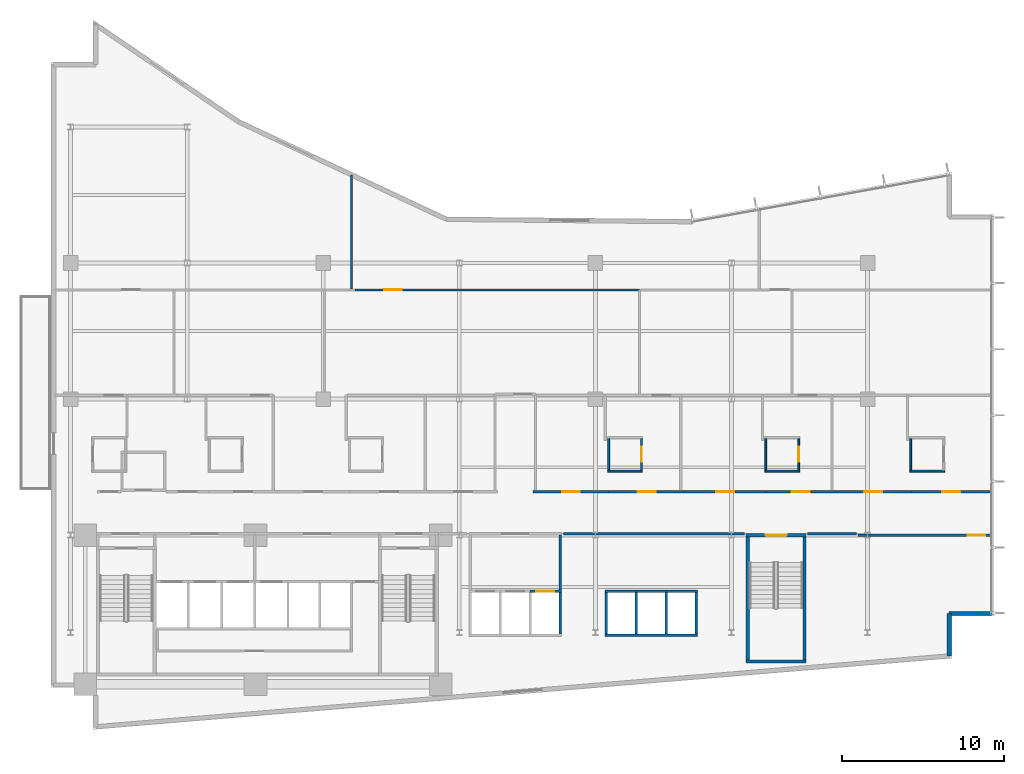
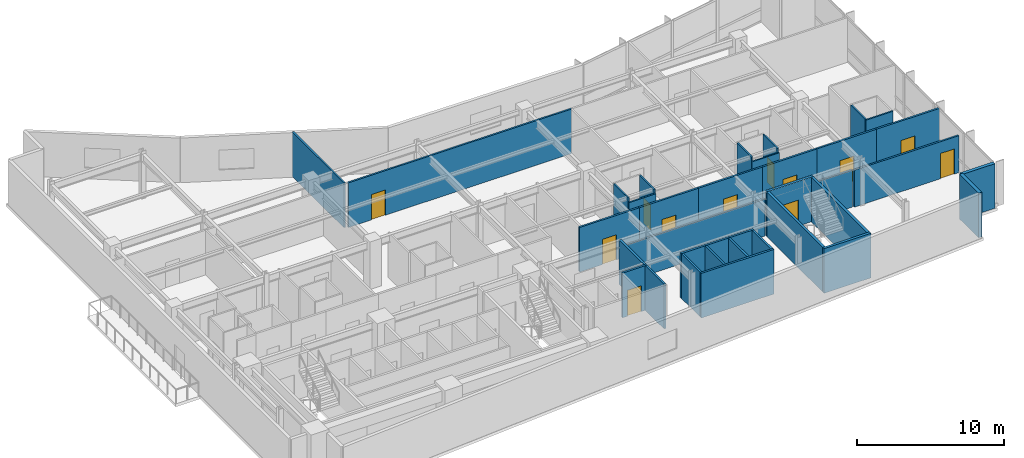
# One storey, part 14 of 20: 36 walls, 12 doors, 12 openings.
"""IFC4 building model written with IfcOpenShell, lengths in metres."""

import ifcopenshell
import ifcopenshell.guid

model = None  # the IFC model being written
_history = None  # IfcOwnerHistory: only IFC2X3 demands one
_inside = {}  # id of a spatial element -> (the spatial element, [elements in it])
_under = {}  # id of a project, library or spatial element -> (it, [spatial elements below it])
_declared = {}  # id of a project -> (the project, [libraries it declares])
_typed = {}  # id of a type object -> (the type object, [elements of that type])
_made_of = {}  # id of a material, layer set ... -> (it, [elements and type objects made of it])


def new_model(schema):
    """Start an empty IFC model of exactly this schema.

    Asked for "IFC4X3", IfcOpenShell would pick the latest addendum, in which some entities
    have other attributes; the version numbers below select the first issue.
    IFC2X3 requires an IfcOwnerHistory on every rooted entity: one is made here for all.
    """
    global model, _history
    if schema == "IFC4X3":
        model = ifcopenshell.file(schema_version=(4, 3, 0, 0))
    else:
        model = ifcopenshell.file(schema=schema)
    _inside.clear()
    _under.clear()
    _declared.clear()
    _typed.clear()
    _made_of.clear()
    _history = None
    if model.schema == "IFC2X3":
        org = make("IfcOrganization", Name="unknown")
        user = make(
            "IfcPersonAndOrganization",
            ThePerson=make("IfcPerson", FamilyName="unknown"),
            TheOrganization=org,
        )
        app = make(
            "IfcApplication",
            ApplicationDeveloper=org,
            Version="unknown",
            ApplicationFullName="unknown",
            ApplicationIdentifier="unknown",
        )
        _history = make(
            "IfcOwnerHistory",
            OwningUser=user,
            OwningApplication=app,
            ChangeAction="ADDED",
            CreationDate=0,
        )
    return model


def make(cls, **values):
    """One entity of the class cls with the attributes given. An attribute that is None is left unset."""
    return model.create_entity(
        cls, **{name: value for name, value in values.items() if value is not None}
    )


def rooted(cls, **values):
    """An entity with a GlobalId (a new one), such as an element, a storey or a relation."""
    return make(cls, GlobalId=ifcopenshell.guid.new(), OwnerHistory=_history, **values)


def si_unit(unit_type, name, prefix=None):
    """IfcSIUnit, for example si_unit("LENGTHUNIT", "METRE", prefix="MILLI")."""
    return make("IfcSIUnit", UnitType=unit_type, Prefix=prefix, Name=name)


def assignment(units):
    """IfcUnitAssignment: the units of a project."""
    return None if units is None else make("IfcUnitAssignment", Units=units)


def point(xyz):
    """IfcCartesianPoint."""
    return None if xyz is None else make("IfcCartesianPoint", Coordinates=xyz)


def direction(xyz):
    """IfcDirection."""
    return None if xyz is None else make("IfcDirection", DirectionRatios=xyz)


def frame(location, z_axis=None, x_axis=None):
    """IfcAxis2Placement3D, a coordinate frame: its origin and axes. An axis left out is left unset."""
    return make(
        "IfcAxis2Placement3D",
        Location=point(location),
        Axis=direction(z_axis),
        RefDirection=direction(x_axis),
    )


def frame_2d(location, x_axis=None):
    """IfcAxis2Placement2D, a coordinate frame in the plane: its origin and x axis."""
    return make(
        "IfcAxis2Placement2D", Location=point(location), RefDirection=direction(x_axis)
    )


def origin():
    """The frame at (0, 0, 0) with its axes left unset."""
    return frame((0.0, 0.0, 0.0))


def place(relative_to, where):
    """IfcLocalPlacement: puts the frame where relative to a parent placement (None: the world)."""
    return make(
        "IfcLocalPlacement", PlacementRelTo=relative_to, RelativePlacement=where
    )


def context(
    kind, dimensions, precision=None, world=None, true_north=None, identifier=None
):
    """IfcGeometricRepresentationContext, for example the 3D "Model" context."""
    return make(
        "IfcGeometricRepresentationContext",
        ContextIdentifier=identifier,
        ContextType=kind,
        CoordinateSpaceDimension=dimensions,
        Precision=precision,
        WorldCoordinateSystem=world,
        TrueNorth=true_north,
    )


def subcontext(parent, identifier, kind, view, scale=None):
    """IfcGeometricRepresentationSubContext, for example "Body" below "Model"."""
    return make(
        "IfcGeometricRepresentationSubContext",
        ContextIdentifier=identifier,
        ContextType=kind,
        ParentContext=parent,
        TargetScale=scale,
        TargetView=view,
    )


def project(units=None, contexts=None):
    """IfcProject with its units and contexts."""
    return rooted(
        "IfcProject",
        Name="project",
        RepresentationContexts=contexts,
        UnitsInContext=assignment(units),
    )


def spatial(cls, under=None, at=None, **own):
    """A site, building, storey or space (cls), placed at a placement, below another one or the project."""
    s = rooted(cls, ObjectPlacement=at, **own)
    if under is not None:
        _under.setdefault(under.id(), (under, []))[1].append(s)
    return s


def profile(cls, at=None, kind="AREA", **sizes):
    """A parametric profile (cls). Its sizes go by their IFC names, for example OverallWidth=200.0."""
    return make(cls, ProfileType=kind, Position=at, **sizes)


def rectangle(**sizes):
    """IfcRectangleProfileDef."""
    return profile("IfcRectangleProfileDef", **sizes)


def extrude(swept, where, along, depth):
    """IfcExtrudedAreaSolid: the profile swept, set in the frame where, extruded along a direction by depth."""
    return make(
        "IfcExtrudedAreaSolid",
        SweptArea=swept,
        Position=where,
        ExtrudedDirection=direction(along),
        Depth=depth,
    )


def shape(context_of_items, identifier, shape_type, items):
    """IfcShapeRepresentation: the items that make up one representation, for example the "Body"."""
    return make(
        "IfcShapeRepresentation",
        ContextOfItems=context_of_items,
        RepresentationIdentifier=identifier,
        RepresentationType=shape_type,
        Items=items,
    )


def material(Name=None, Category=None):
    """IfcMaterial."""
    return make("IfcMaterial", Name=Name, Category=Category)


def layer(
    of_material, thickness, ventilated=None, Name=None, Category=None, Priority=None
):
    """IfcMaterialLayer: one layer of a wall or slab, of a material (None: an air gap)."""
    return make(
        "IfcMaterialLayer",
        Material=of_material,
        LayerThickness=thickness,
        IsVentilated=ventilated,
        Name=Name,
        Category=Category,
        Priority=Priority,
    )


def layer_set(layers, Name=None):
    """IfcMaterialLayerSet."""
    return make("IfcMaterialLayerSet", MaterialLayers=layers, LayerSetName=Name)


def made_of(thing, what):
    """Note that an element or type object is made of a material, layer set ...; save() writes the relation."""
    if what is not None:
        _made_of.setdefault(what.id(), (what, []))[1].append(thing)
    return thing


def type_object(cls, material=None, **own):
    """A type object (cls), such as IfcWallType, which elements share."""
    return made_of(rooted(cls, **own), material)


def element(
    cls,
    number,
    at=None,
    inside=None,
    cuts=None,
    type_object=None,
    material=None,
    context=None,
    identifier="Body",
    shape_type=None,
    held_by="IfcProductDefinitionShape",
    body=None,
    shapes=None,
    **own,
):
    """One element of the class cls, such as IfcWall. Its Tag is "e" and its number.

    at: its placement. inside: the storey or other place that contains it. cuts: it is an
    opening in that element (IfcRelVoidsElement). A single representation is given by context,
    identifier, shape_type and body (its items); several are given by shapes. held_by: the class
    of the entity that holds the representations. save() writes the other relations.
    """
    e = rooted(cls, Tag="e%d" % number, ObjectPlacement=at, **own)
    if body is not None:
        shapes = [shape(context, identifier, shape_type, body)]
    if shapes is not None:
        e.Representation = make(held_by, Representations=shapes)
    if inside is not None:
        _inside.setdefault(inside.id(), (inside, []))[1].append(e)
    if cuts is not None:
        rooted(
            "IfcRelVoidsElement", RelatingBuildingElement=cuts, RelatedOpeningElement=e
        )
    if type_object is not None:
        _typed.setdefault(type_object.id(), (type_object, []))[1].append(e)
    return made_of(e, material)


def fill(opening, filler):
    """IfcRelFillsElement: the door or window that sits in an opening."""
    return rooted(
        "IfcRelFillsElement",
        RelatingOpeningElement=opening,
        RelatedBuildingElement=filler,
    )


def aggregate(whole, parts):
    """IfcRelAggregates: a whole, such as a stair, and the parts it consists of."""
    return rooted("IfcRelAggregates", RelatingObject=whole, RelatedObjects=parts)


def save(model, path):
    """Write the relations noted so far, then the file.

    IfcRelAggregates (storeys below a building ...), IfcRelContainedInSpatialStructure (elements
    in a storey), IfcRelDefinesByType, IfcRelAssociatesMaterial and IfcRelDeclares: one each for
    every whole, place, type object, material and project.
    """
    for whole, parts in _under.values():
        aggregate(whole, parts)
    for where, things in _inside.values():
        rooted(
            "IfcRelContainedInSpatialStructure",
            RelatedElements=things,
            RelatingStructure=where,
        )
    for kind, things in _typed.values():
        rooted("IfcRelDefinesByType", RelatedObjects=things, RelatingType=kind)
    for what, things in _made_of.values():
        rooted("IfcRelAssociatesMaterial", RelatedObjects=things, RelatingMaterial=what)
    for by, libraries in _declared.values():
        rooted("IfcRelDeclares", RelatingContext=by, RelatedDefinitions=libraries)
    model.write(path)


model = new_model("IFC4")

# Units and contexts
model_context = context("Model", 3, precision=1e-05, world=origin(), true_north=direction((0.0, 1.0)))
body_context = subcontext(model_context, "Body", "Model", "MODEL_VIEW")
ifc_project = project(units=[si_unit("LENGTHUNIT", "METRE"), si_unit("AREAUNIT", "SQUARE_METRE"), si_unit("VOLUMEUNIT", "CUBIC_METRE"), si_unit("PLANEANGLEUNIT", "RADIAN"), si_unit("MASSUNIT", "GRAM", prefix="KILO")], contexts=[model_context])

# Site, building, storey
site_placement = place(None, origin())
site = spatial("IfcSite", under=ifc_project, at=site_placement, CompositionType="ELEMENT")
building_placement = place(site_placement, origin())
building = spatial("IfcBuilding", under=site, at=building_placement, Name="Varnakote Quay Hospital", CompositionType="ELEMENT")
storey_placement = place(building_placement, frame((0.0, 0.0, 26.449951171875)))
storey = spatial("IfcBuildingStorey", under=building, at=storey_placement, Name="L06", CompositionType="ELEMENT", Elevation=26.449951171875)

# Walls
ifc_material_1 = material(Name="Fire-rated acoustic gypsum stud wall", Category="gypsum")
ifc_layer_1 = layer(ifc_material_1, 0.159912109375)
ifc_layer_set_1 = layer_set([ifc_layer_1], Name="Fire-rated acoustic gypsum stud wall")
wall_type_1 = type_object("IfcWallType", Name="WL-COMP-160", PredefinedType="PARTITIONING", material=ifc_layer_set_1)
wall_1_placement = place(storey_placement, frame((31.429931640625, 8.610107421875, 0.0), z_axis=(0.0, 0.0, 1.0), x_axis=(0.0, 1.0, 0.0)))
element("IfcWall", 1, at=wall_1_placement, inside=storey, type_object=wall_type_1, Name="L06 Low-Rise Lift Lobby East Wall", PredefinedType="PARTITIONING", context=body_context, shape_type="SweptSolid", body=[
    extrude(rectangle(XDim=3.389892578125, YDim=0.159912109375, at=frame_2d((1.69482421875, 0.0))), origin(), (0.0, 0.0, 1.0), 3.7099609375),
])
wall_2_placement = place(storey_placement, frame((31.6298828125, 12.080078125, 0.0), z_axis=(0.0, 0.0, 1.0), x_axis=(1.0, 0.0, 0.0)))
element("IfcWall", 2, at=wall_2_placement, inside=storey, type_object=wall_type_1, Name="L06 Corridor South Gap Wall", PredefinedType="PARTITIONING", context=body_context, shape_type="SweptSolid", body=[
    extrude(rectangle(XDim=11.180908203125, YDim=0.159912109375, at=frame_2d((5.59033203125, 0.0))), origin(), (0.0, 0.0, 1.0), 3.072998046875),
])
wall_3_placement = place(storey_placement, frame((46.689208984375, 12.080078125, 0.0), z_axis=(0.0, 0.0, 1.0), x_axis=(1.0, 0.0, 0.0)))
element("IfcWall", 3, at=wall_3_placement, inside=storey, type_object=wall_type_1, Name="L06 Corridor South Gap Wall", PredefinedType="PARTITIONING", context=body_context, shape_type="SweptSolid", body=[
    extrude(rectangle(XDim=3.0107421875, YDim=0.159912109375, at=frame_2d((1.50537109375, 0.0))), origin(), (0.0, 0.0, 1.0), 3.072998046875),
])
ifc_material_2 = material(Name="Moisture-resistant bathroom partition", Category="gypsum")
ifc_layer_2 = layer(ifc_material_2, 0.114990234375)
ifc_layer_set_2 = layer_set([ifc_layer_2], Name="Moisture-resistant bathroom partition")
wall_type_2 = type_object("IfcWallType", Name="WL-ENS-115", PredefinedType="PARTITIONING", material=ifc_layer_set_2)
wall_4_placement = place(storey_placement, frame((34.35498046875, 15.952392578125, 0.0), z_axis=(0.0, 0.0, 1.0), x_axis=(1.0, 0.0, 0.0)))
element("IfcWall", 4, at=wall_4_placement, inside=storey, type_object=wall_type_2, Name="L06 Inpatient En-Suite Bathroom 04 S Wall", PredefinedType="PARTITIONING", context=body_context, shape_type="SweptSolid", body=[
    extrude(rectangle(XDim=2.14990234375, YDim=0.114990234375, at=frame_2d((1.074951171875, 0.0))), origin(), (0.0, 0.0, 1.0), 3.3779296875),
])
wall_5_placement = place(storey_placement, frame((34.41259765625, 16.010009765625, 0.0), z_axis=(0.0, 0.0, 1.0), x_axis=(0.0, 1.0, 0.0)))
element("IfcWall", 5, at=wall_5_placement, inside=storey, type_object=wall_type_2, Name="L06 Inpatient En-Suite Bathroom 04 W Wall", PredefinedType="PARTITIONING", context=body_context, shape_type="SweptSolid", body=[
    extrude(rectangle(XDim=1.949951171875, YDim=0.114990234375, at=frame_2d((0.97509765625, 0.0))), origin(), (0.0, 0.0, 1.0), 3.7099609375),
])

# Wall, opening, door
wall_6_placement = place(storey_placement, frame((36.447509765625, 16.010009765625, 0.0), z_axis=(0.0, 0.0, 1.0), x_axis=(0.0, 1.0, 0.0)))
wall_6 = element("IfcWall", 6, at=wall_6_placement, inside=storey, type_object=wall_type_2, Name="L06 Inpatient En-Suite Bathroom 04 E Wall", PredefinedType="PARTITIONING", context=body_context, shape_type="SweptSolid", body=[
    extrude(rectangle(XDim=1.949951171875, YDim=0.114990234375, at=frame_2d((0.97509765625, 0.0))), origin(), (0.0, 0.0, 1.0), 3.7099609375),
])
opening_1_placement = place(wall_6_placement, frame((0.514892578125, 0.0, 0.0)))
opening_1 = element("IfcOpeningElement", 7, at=opening_1_placement, cuts=wall_6, Name="Opening D-L06-ENS04", PredefinedType="OPENING", context=body_context, shape_type="SweptSolid", body=[
    extrude(rectangle(XDim=0.919921875, YDim=2.10009765625, at=frame_2d((0.4599609375, 1.050048828125))), frame((0.0, 0.0673828125, 0.0), z_axis=(0.0, -1.0, 0.0), x_axis=(1.0, 0.0, 0.0)), (0.0, 0.0, 1.0), 0.135009765625),
])
ifc_material_3 = material(Name="Moisture-sealed en-suite bathroom door")
door_type_1 = type_object("IfcDoorType", Name="DR-ENS-920x2100", OperationType="NOTDEFINED", PredefinedType="DOOR", material=ifc_material_3)
door_1_placement = place(opening_1_placement, origin())
door_1 = element("IfcDoor", 8, at=door_1_placement, inside=storey, type_object=door_type_1, Name="L06 Inpatient En-Suite Bathroom 04 Door", OperationType="SINGLE_SWING_LEFT", OverallHeight=2.10009765625, OverallWidth=0.919921875, PredefinedType="DOOR", context=body_context, shape_type="SweptSolid", body=[
    extrude(rectangle(XDim=0.919921875, YDim=2.10009765625, at=frame_2d((0.4599609375, 1.050048828125))), frame((0.0, 0.02490234375, 0.0), z_axis=(0.0, -1.0, 0.0), x_axis=(1.0, 0.0, 0.0)), (0.0, 0.0, 1.0), 0.050048828125),
])
fill(opening_1, door_1)

# Walls
wall_7_placement = place(storey_placement, frame((44.054931640625, 15.952392578125, 0.0), z_axis=(0.0, 0.0, 1.0), x_axis=(1.0, 0.0, 0.0)))
element("IfcWall", 9, at=wall_7_placement, inside=storey, type_object=wall_type_2, Name="L06 Inpatient En-Suite Bathroom 05 S Wall", PredefinedType="PARTITIONING", context=body_context, shape_type="SweptSolid", body=[
    extrude(rectangle(XDim=2.150146484375, YDim=0.114990234375, at=frame_2d((1.0751953125, 0.0))), origin(), (0.0, 0.0, 1.0), 3.3779296875),
])
wall_8_placement = place(storey_placement, frame((44.112548828125, 16.010009765625, 0.0), z_axis=(0.0, 0.0, 1.0), x_axis=(0.0, 1.0, 0.0)))
element("IfcWall", 10, at=wall_8_placement, inside=storey, type_object=wall_type_2, Name="L06 Inpatient En-Suite Bathroom 05 W Wall", PredefinedType="PARTITIONING", context=body_context, shape_type="SweptSolid", body=[
    extrude(rectangle(XDim=1.949951171875, YDim=0.114990234375, at=frame_2d((0.97509765625, 0.0))), origin(), (0.0, 0.0, 1.0), 3.7099609375),
])

# Wall, opening, door
wall_9_placement = place(storey_placement, frame((46.1474609375, 16.010009765625, 0.0), z_axis=(0.0, 0.0, 1.0), x_axis=(0.0, 1.0, 0.0)))
wall_9 = element("IfcWall", 11, at=wall_9_placement, inside=storey, type_object=wall_type_2, Name="L06 Inpatient En-Suite Bathroom 05 E Wall", PredefinedType="PARTITIONING", context=body_context, shape_type="SweptSolid", body=[
    extrude(rectangle(XDim=1.949951171875, YDim=0.114990234375, at=frame_2d((0.97509765625, 0.0))), origin(), (0.0, 0.0, 1.0), 3.7099609375),
])
opening_2_placement = place(wall_9_placement, frame((0.514892578125, 0.0, 0.0)))
opening_2 = element("IfcOpeningElement", 12, at=opening_2_placement, cuts=wall_9, Name="Opening D-L06-ENS05", PredefinedType="OPENING", context=body_context, shape_type="SweptSolid", body=[
    extrude(rectangle(XDim=0.919921875, YDim=2.10009765625, at=frame_2d((0.4599609375, 1.050048828125))), frame((0.0, 0.0673828125, 0.0), z_axis=(0.0, -1.0, 0.0), x_axis=(1.0, 0.0, 0.0)), (0.0, 0.0, 1.0), 0.135009765625),
])
door_2_placement = place(opening_2_placement, origin())
door_2 = element("IfcDoor", 13, at=door_2_placement, inside=storey, type_object=door_type_1, Name="L06 Inpatient En-Suite Bathroom 05 Door", OperationType="SINGLE_SWING_RIGHT", OverallHeight=2.10009765625, OverallWidth=0.919921875, PredefinedType="DOOR", context=body_context, shape_type="SweptSolid", body=[
    extrude(rectangle(XDim=0.919921875, YDim=2.10009765625, at=frame_2d((0.4599609375, 1.050048828125))), frame((0.0, 0.02490234375, 0.0), z_axis=(0.0, -1.0, 0.0), x_axis=(1.0, 0.0, 0.0)), (0.0, 0.0, 1.0), 0.050048828125),
])
fill(opening_2, door_2)

# Walls
wall_10_placement = place(storey_placement, frame((53.0048828125, 15.952392578125, 0.0), z_axis=(0.0, 0.0, 1.0), x_axis=(1.0, 0.0, 0.0)))
element("IfcWall", 14, at=wall_10_placement, inside=storey, type_object=wall_type_2, Name="L06 Inpatient En-Suite Bathroom 06 S Wall", PredefinedType="PARTITIONING", context=body_context, shape_type="SweptSolid", body=[
    extrude(rectangle(XDim=2.150146484375, YDim=0.114990234375, at=frame_2d((1.0751953125, 0.0))), origin(), (0.0, 0.0, 1.0), 3.7099609375),
])
wall_11_placement = place(storey_placement, frame((53.0625, 16.010009765625, 0.0), z_axis=(0.0, 0.0, 1.0), x_axis=(0.0, 1.0, 0.0)))
element("IfcWall", 15, at=wall_11_placement, inside=storey, type_object=wall_type_2, Name="L06 Inpatient En-Suite Bathroom 06 W Wall", PredefinedType="PARTITIONING", context=body_context, shape_type="SweptSolid", body=[
    extrude(rectangle(XDim=1.949951171875, YDim=0.114990234375, at=frame_2d((0.97509765625, 0.0))), origin(), (0.0, 0.0, 1.0), 3.7099609375),
])
ifc_material_4 = material(Name="Precast concrete N50 (f'c 50 MPa)", Category="concrete")
ifc_layer_3 = layer(ifc_material_4, 0.260009765625)
ifc_layer_set_3 = layer_set([ifc_layer_3], Name="Precast concrete N50 (f'c 50 MPa)")
wall_type_3 = type_object("IfcWallType", Name="WL-EXT-BRICK-260", PredefinedType="STANDARD", material=ifc_layer_set_3)
wall_12_placement = place(storey_placement, frame((55.43994140625, 4.54736328125, 0.0), z_axis=(0.0, 0.0, 1.0), x_axis=(0.0, 1.0, 0.0)))
element("IfcWall", 16, at=wall_12_placement, inside=storey, type_object=wall_type_3, Name="L06 Brick-Faced Precast Exterior Wall", PredefinedType="STANDARD", context=body_context, shape_type="SweptSolid", body=[
    extrude(rectangle(XDim=2.612548828125, YDim=0.260009765625, at=frame_2d((1.30615234375, 0.0))), origin(), (0.0, 0.0, 1.0), 3.7099609375),
])
wall_13_placement = place(storey_placement, frame((55.43994140625, 7.159912109375, 0.0), z_axis=(0.0, 0.0, 1.0), x_axis=(1.0, 0.0, 0.0)))
element("IfcWall", 17, at=wall_13_placement, inside=storey, type_object=wall_type_3, Name="L06 Brick-Faced Precast Exterior Wall", PredefinedType="STANDARD", context=body_context, shape_type="SweptSolid", body=[
    extrude(rectangle(XDim=2.60009765625, YDim=0.260009765625, at=frame_2d((1.300048828125, 0.0))), origin(), (0.0, 0.0, 1.0), 3.7099609375),
])
ifc_material_5 = material(Name="Concrete N50 (f'c 50 MPa)", Category="concrete")
ifc_layer_4 = layer(ifc_material_5, 0.14990234375)
ifc_layer_set_4 = layer_set([ifc_layer_4], Name="Concrete N50 (f'c 50 MPa)")
wall_type_4 = type_object("IfcWallType", Name="WL-SHAFT-N50-150", PredefinedType="SHEAR", material=ifc_layer_set_4)
for number, where, z_axis, x_axis, name in (
    (18, (36.125, 5.89990234375, 0.0), (0.0, 0.0, 1.0), (0.0, 1.0, 0.0), "L06 LF-PM1 Hoistway Divider Wall"),
    (19, (37.97509765625, 5.89990234375, 0.0), (0.0, 0.0, 1.0), (0.0, 1.0, 0.0), "L06 LF-PM2 Hoistway Divider Wall"),
):
    element("IfcWall", number, at=place(storey_placement, frame(where, z_axis=z_axis, x_axis=x_axis)), inside=storey, type_object=wall_type_4, Name=name, PredefinedType="SHEAR", context=body_context, shape_type="SweptSolid", body=[
        extrude(rectangle(XDim=2.550048828125, YDim=0.14990234375, at=frame_2d((1.27490234375, 0.0))), origin(), (0.0, 0.0, 1.0), 3.7099609375),
    ])
ifc_material_6 = material(Name="Concrete N50 (f'c 50 MPa)", Category="concrete")
ifc_layer_5 = layer(ifc_material_6, 0.159912109375)
ifc_layer_set_5 = layer_set([ifc_layer_5], Name="Concrete N50 (f'c 50 MPa)")
wall_type_5 = type_object("IfcWallType", Name="WL-SHAFT-N50-160", PredefinedType="SHEAR", material=ifc_layer_set_5)
wall_14_placement = place(storey_placement, frame((31.429931640625, 5.89990234375, 0.0), z_axis=(0.0, 0.0, 1.0), x_axis=(0.0, 1.0, 0.0)))
element("IfcWall", 20, at=wall_14_placement, inside=storey, type_object=wall_type_5, Name="L06 LOW Lift Bank East Shear Wall", PredefinedType="SHEAR", context=body_context, shape_type="SweptSolid", body=[
    extrude(rectangle(XDim=2.550048828125, YDim=0.159912109375, at=frame_2d((1.27490234375, 0.0))), origin(), (0.0, 0.0, 1.0), 3.7099609375),
])

# Wall, opening, door
wall_15_placement = place(storey_placement, frame((29.574951171875, 8.530029296875, 0.0), z_axis=(0.0, 0.0, 1.0), x_axis=(1.0, 0.0, 0.0)))
wall_15 = element("IfcWall", 21, at=wall_15_placement, inside=storey, type_object=wall_type_5, Name="L06 LF-PL3 Hoistway Front Wall", PredefinedType="SHEAR", context=body_context, shape_type="SweptSolid", body=[
    extrude(rectangle(XDim=1.93505859375, YDim=0.159912109375, at=frame_2d((0.967529296875, 0.0))), origin(), (0.0, 0.0, 1.0), 3.7099609375),
])
opening_3_placement = place(wall_15_placement, frame((0.375, 0.0, 0.0)))
opening_3 = element("IfcOpeningElement", 22, at=opening_3_placement, cuts=wall_15, Name="Opening LD-PL3-L06", PredefinedType="OPENING", context=body_context, shape_type="SweptSolid", body=[
    extrude(rectangle(XDim=1.10009765625, YDim=2.14990234375, at=frame_2d((0.550048828125, 1.074951171875))), frame((0.0, 0.08984375, 0.0), z_axis=(0.0, -1.0, 0.0), x_axis=(1.0, 0.0, 0.0)), (0.0, 0.0, 1.0), 0.179931640625),
])
ifc_material_7 = material(Name="Brushed bronze lift landing sliding door")
door_type_2 = type_object("IfcDoorType", Name="DR-LIFT-LD-1100x2150", OperationType="NOTDEFINED", PredefinedType="DOOR", material=ifc_material_7)
door_3_placement = place(opening_3_placement, origin())
door_3 = element("IfcDoor", 23, at=door_3_placement, inside=storey, type_object=door_type_2, Name="L06 LF-PL3 Lift Landing Sliding Door", OperationType="SLIDING_TO_LEFT", OverallHeight=2.14990234375, OverallWidth=1.10009765625, PredefinedType="DOOR", context=body_context, shape_type="SweptSolid", body=[
    extrude(rectangle(XDim=1.10009765625, YDim=2.14990234375, at=frame_2d((0.550048828125, 1.074951171875))), frame((0.0, 0.02490234375, 0.0), z_axis=(0.0, -1.0, 0.0), x_axis=(1.0, 0.0, 0.0)), (0.0, 0.0, 1.0), 0.050048828125),
])
fill(opening_3, door_3)

# Walls
wall_16_placement = place(storey_placement, frame((34.18994140625, 5.820068359375, 0.0), z_axis=(0.0, 0.0, 1.0), x_axis=(1.0, 0.0, 0.0)))
element("IfcWall", 24, at=wall_16_placement, inside=storey, type_object=wall_type_5, Name="L06 MID Lift Bank Back Shear Wall", PredefinedType="SHEAR", context=body_context, shape_type="SweptSolid", body=[
    extrude(rectangle(XDim=5.719970703125, YDim=0.159912109375, at=frame_2d((2.85986328125, 0.0))), origin(), (0.0, 0.0, 1.0), 3.7099609375),
])
for number, where, z_axis, x_axis, name in (
    (25, (34.27001953125, 5.89990234375, 0.0), (0.0, 0.0, 1.0), (0.0, 1.0, 0.0), "L06 MID Lift Bank West Shear Wall"),
    (26, (39.830078125, 5.89990234375, 0.0), (0.0, 0.0, 1.0), (0.0, 1.0, 0.0), "L06 MID Lift Bank East Shear Wall"),
):
    element("IfcWall", number, at=place(storey_placement, frame(where, z_axis=z_axis, x_axis=x_axis)), inside=storey, type_object=wall_type_5, Name=name, PredefinedType="SHEAR", context=body_context, shape_type="SweptSolid", body=[
        extrude(rectangle(XDim=2.550048828125, YDim=0.159912109375, at=frame_2d((1.27490234375, 0.0))), origin(), (0.0, 0.0, 1.0), 3.7099609375),
    ])
wall_17_placement = place(storey_placement, frame((34.18994140625, 8.530029296875, 0.0), z_axis=(0.0, 0.0, 1.0), x_axis=(1.0, 0.0, 0.0)))
element("IfcWall", 27, at=wall_17_placement, inside=storey, type_object=wall_type_5, Name="L06 LF-PM1 Hoistway Front Wall", PredefinedType="SHEAR", context=body_context, shape_type="SweptSolid", body=[
    extrude(rectangle(XDim=1.93505859375, YDim=0.159912109375, at=frame_2d((0.967529296875, 0.0))), origin(), (0.0, 0.0, 1.0), 3.7099609375),
])
wall_18_placement = place(storey_placement, frame((36.125, 8.530029296875, 0.0), z_axis=(0.0, 0.0, 1.0), x_axis=(1.0, 0.0, 0.0)))
element("IfcWall", 28, at=wall_18_placement, inside=storey, type_object=wall_type_5, Name="L06 LF-PM2 Hoistway Front Wall", PredefinedType="SHEAR", context=body_context, shape_type="SweptSolid", body=[
    extrude(rectangle(XDim=1.85009765625, YDim=0.159912109375, at=frame_2d((0.925048828125, 0.0))), origin(), (0.0, 0.0, 1.0), 3.7099609375),
])
wall_19_placement = place(storey_placement, frame((37.97509765625, 8.530029296875, 0.0), z_axis=(0.0, 0.0, 1.0), x_axis=(1.0, 0.0, 0.0)))
element("IfcWall", 29, at=wall_19_placement, inside=storey, type_object=wall_type_5, Name="L06 LF-PM3 Hoistway Front Wall", PredefinedType="SHEAR", context=body_context, shape_type="SweptSolid", body=[
    extrude(rectangle(XDim=1.934814453125, YDim=0.159912109375, at=frame_2d((0.96728515625, 0.0))), origin(), (0.0, 0.0, 1.0), 3.7099609375),
])
ifc_material_8 = material(Name="Concrete N50 (f'c 50 MPa)", Category="concrete")
ifc_layer_6 = layer(ifc_material_8, 0.199951171875)
ifc_layer_set_6 = layer_set([ifc_layer_6], Name="Concrete N50 (f'c 50 MPa)")
wall_type_6 = type_object("IfcWallType", Name="WL-SHAFT-N50-200", PredefinedType="SHEAR", material=ifc_layer_set_6)
wall_20_placement = place(storey_placement, frame((42.89990234375, 4.199951171875, 0.0), z_axis=(0.0, 0.0, 1.0), x_axis=(1.0, 0.0, 0.0)))
element("IfcWall", 30, at=wall_20_placement, inside=storey, type_object=wall_type_6, Name="L06 Stair ST3 South Shaft Wall", PredefinedType="SHEAR", context=body_context, shape_type="SweptSolid", body=[
    extrude(rectangle(XDim=3.7001953125, YDim=0.199951171875, at=frame_2d((1.85009765625, 0.0))), origin(), (0.0, 0.0, 1.0), 3.7099609375),
])
for number, where, z_axis, x_axis, name in (
    (31, (43.0, 4.300048828125, 0.0), (0.0, 0.0, 1.0), (0.0, 1.0, 0.0), "L06 Stair ST3 West Shaft Wall"),
    (32, (46.5, 4.300048828125, 0.0), (0.0, 0.0, 1.0), (0.0, 1.0, 0.0), "L06 Stair ST3 East Shaft Wall"),
):
    element("IfcWall", number, at=place(storey_placement, frame(where, z_axis=z_axis, x_axis=x_axis)), inside=storey, type_object=wall_type_6, Name=name, PredefinedType="SHEAR", context=body_context, shape_type="SweptSolid", body=[
        extrude(rectangle(XDim=7.599853515625, YDim=0.199951171875, at=frame_2d((3.7998046875, 0.0))), origin(), (0.0, 0.0, 1.0), 3.7099609375),
    ])

# Wall, opening, door
wall_21_placement = place(storey_placement, frame((42.89990234375, 12.0, 0.0), z_axis=(0.0, 0.0, 1.0), x_axis=(1.0, 0.0, 0.0)))
wall_21 = element("IfcWall", 33, at=wall_21_placement, inside=storey, type_object=wall_type_6, Name="L06 Stair ST3 Exit Wall", PredefinedType="SHEAR", context=body_context, shape_type="SweptSolid", body=[
    extrude(rectangle(XDim=3.7001953125, YDim=0.199951171875, at=frame_2d((1.85009765625, 0.0))), origin(), (0.0, 0.0, 1.0), 3.7099609375),
])
opening_4_placement = place(wall_21_placement, frame((1.199951171875, 0.0, 0.0)))
opening_4 = element("IfcOpeningElement", 34, at=opening_4_placement, cuts=wall_21, Name="Opening D-ST3-L06", PredefinedType="OPENING", context=body_context, shape_type="SweptSolid", body=[
    extrude(rectangle(XDim=1.300048828125, YDim=2.14990234375, at=frame_2d((0.64990234375, 1.074951171875))), frame((0.0, 0.10986328125, 0.0), z_axis=(0.0, -1.0, 0.0), x_axis=(1.0, 0.0, 0.0)), (0.0, 0.0, 1.0), 0.219970703125),
])
ifc_material_9 = material(Name="Fire-rated ceramic-glazed timber exit door", Category="wood")
door_type_3 = type_object("IfcDoorType", Name="DR-STAIR-FD60S-1300x2150", OperationType="NOTDEFINED", PredefinedType="DOOR", material=ifc_material_9)
door_4_placement = place(opening_4_placement, origin())
door_4 = element("IfcDoor", 35, at=door_4_placement, inside=storey, type_object=door_type_3, Name="L06 Stair ST3 Fire Exit Door", OperationType="SINGLE_SWING_RIGHT", OverallHeight=2.14990234375, OverallWidth=1.300048828125, PredefinedType="DOOR", context=body_context, shape_type="SweptSolid", body=[
    extrude(rectangle(XDim=1.300048828125, YDim=2.14990234375, at=frame_2d((0.64990234375, 1.074951171875))), frame((0.0, 0.02490234375, 0.0), z_axis=(0.0, -1.0, 0.0), x_axis=(1.0, 0.0, 0.0)), (0.0, 0.0, 1.0), 0.050048828125),
])
fill(opening_4, door_4)

ifc_material_10 = material(Name="Smoke-proof clinical partition", Category="gypsum")
ifc_layer_7 = layer(ifc_material_10, 0.135009765625)
ifc_layer_set_7 = layer_set([ifc_layer_7], Name="Smoke-proof clinical partition")
wall_type_7 = type_object("IfcWallType", Name="WL-SMOKE-135", PredefinedType="PARTITIONING", material=ifc_layer_set_7)
wall_22_placement = place(storey_placement, frame((36.320068359375, 27.139892578125, 0.0), z_axis=(0.0, 0.0, 1.0), x_axis=(-1.0, 0.0, 0.0)))
wall_22 = element("IfcWall", 36, at=wall_22_placement, inside=storey, type_object=wall_type_7, Name="L06 Clinical Interior Partition", PredefinedType="PARTITIONING", context=body_context, shape_type="SweptSolid", body=[
    extrude(rectangle(XDim=17.570556640625, YDim=0.135009765625, at=frame_2d((8.78515625, 0.0))), origin(), (0.0, 0.0, 1.0), 3.7099609375),
])
opening_5_placement = place(wall_22_placement, frame((14.663330078125, 0.0, 0.0)))
opening_5 = element("IfcOpeningElement", 37, at=opening_5_placement, cuts=wall_22, Name="Opening D-L06-MD11", PredefinedType="OPENING", context=body_context, shape_type="SweptSolid", body=[
    extrude(rectangle(XDim=1.10009765625, YDim=2.10009765625, at=frame_2d((0.550048828125, 1.050048828125))), frame((0.0, 0.077392578125, 0.0), z_axis=(0.0, -1.0, 0.0), x_axis=(1.0, 0.0, 0.0)), (0.0, 0.0, 1.0), 0.155029296875),
])
ifc_material_11 = material(Name="Acoustic timber clinical consult door", Category="wood")
door_type_4 = type_object("IfcDoorType", Name="DR-CLIN-FD30S-1100x2100", OperationType="NOTDEFINED", PredefinedType="DOOR", material=ifc_material_11)
door_5_placement = place(opening_5_placement, origin())
door_5 = element("IfcDoor", 38, at=door_5_placement, inside=storey, type_object=door_type_4, Name="L06 Ambulatory Infusion Treatment Suite Door", OperationType="SINGLE_SWING_LEFT", OverallHeight=2.10009765625, OverallWidth=1.10009765625, PredefinedType="DOOR", context=body_context, shape_type="SweptSolid", body=[
    extrude(rectangle(XDim=1.10009765625, YDim=2.10009765625, at=frame_2d((0.550048828125, 1.050048828125))), frame((0.0, 0.02490234375, 0.0), z_axis=(0.0, -1.0, 0.0), x_axis=(1.0, 0.0, 0.0)), (0.0, 0.0, 1.0), 0.050048828125),
])
fill(opening_5, door_5)

# Wall
wall_23_placement = place(storey_placement, frame((18.5400390625, 27.197509765625, 0.0), z_axis=(0.0, 0.0, 1.0), x_axis=(0.0, 1.0, 0.0)))
element("IfcWall", 39, at=wall_23_placement, inside=storey, type_object=wall_type_7, Name="L06 Clinical Interior Partition", PredefinedType="PARTITIONING", context=body_context, shape_type="SweptSolid", body=[
    extrude(rectangle(XDim=7.04638671875, YDim=0.135009765625, at=frame_2d((3.523193359375, 0.0))), origin(), (0.0, 0.0, 1.0), 3.7099609375),
])

# Wall, opening, door
ifc_material_12 = material(Name="Fire-rated clinical gypsum partition", Category="gypsum")
ifc_layer_8 = layer(ifc_material_12, 0.14990234375)
ifc_layer_set_8 = layer_set([ifc_layer_8], Name="Fire-rated clinical gypsum partition")
wall_type_8 = type_object("IfcWallType", Name="WL-WARD-150", PredefinedType="PARTITIONING", material=ifc_layer_set_8)
wall_24_placement = place(storey_placement, frame((58.0400390625, 12.0, 0.0), z_axis=(0.0, 0.0, 1.0), x_axis=(-1.0, 0.0, 0.0)))
wall_24 = element("IfcWall", 40, at=wall_24_placement, inside=storey, type_object=wall_type_8, Name="L06 Clinical Interior Partition", PredefinedType="PARTITIONING", context=body_context, shape_type="SweptSolid", body=[
    extrude(rectangle(XDim=8.239990234375, YDim=0.14990234375, at=frame_2d((4.1201171875, 0.0))), origin(), (0.0, 0.0, 1.0), 3.072998046875),
])
opening_6_placement = place(wall_24_placement, frame((0.368408203125, 0.0, 0.0)))
opening_6 = element("IfcOpeningElement", 41, at=opening_6_placement, cuts=wall_24, Name="Opening D-L06-SE1", PredefinedType="OPENING", context=body_context, shape_type="SweptSolid", body=[
    extrude(rectangle(XDim=1.10009765625, YDim=2.10009765625, at=frame_2d((0.550048828125, 1.050048828125))), frame((0.0, 0.0849609375, 0.0), z_axis=(0.0, -1.0, 0.0), x_axis=(1.0, 0.0, 0.0)), (0.0, 0.0, 1.0), 0.169921875),
])
door_6_placement = place(opening_6_placement, origin())
door_6 = element("IfcDoor", 42, at=door_6_placement, inside=storey, type_object=door_type_4, Name="L06 Clinical Biomedical Engineering Office Door", OperationType="SINGLE_SWING_RIGHT", OverallHeight=2.10009765625, OverallWidth=1.10009765625, PredefinedType="DOOR", context=body_context, shape_type="SweptSolid", body=[
    extrude(rectangle(XDim=1.10009765625, YDim=2.10009765625, at=frame_2d((0.550048828125, 1.050048828125))), frame((0.0, 0.02490234375, 0.0), z_axis=(0.0, -1.0, 0.0), x_axis=(1.0, 0.0, 0.0)), (0.0, 0.0, 1.0), 0.050048828125),
])
fill(opening_6, door_6)

wall_25_placement = place(storey_placement, frame((34.43603515625, 14.679931640625, 0.0), z_axis=(0.0, 0.0, 1.0), x_axis=(-1.0, 0.0, 0.0)))
wall_25 = element("IfcWall", 43, at=wall_25_placement, inside=storey, type_object=wall_type_8, Name="L06 Clinical Interior Partition", PredefinedType="PARTITIONING", context=body_context, shape_type="SweptSolid", body=[
    extrude(rectangle(XDim=4.68212890625, YDim=0.14990234375, at=frame_2d((2.341064453125, 0.0))), origin(), (0.0, 0.0, 1.0), 3.7099609375),
])
opening_7_placement = place(wall_25_placement, frame((1.791015625, 0.0, 0.0)))
opening_7 = element("IfcOpeningElement", 44, at=opening_7_placement, cuts=wall_25, Name="Opening D-L06-MD04", PredefinedType="OPENING", context=body_context, shape_type="SweptSolid", body=[
    extrude(rectangle(XDim=1.10009765625, YDim=2.10009765625, at=frame_2d((0.550048828125, 1.050048828125))), frame((0.0, 0.0849609375, 0.0), z_axis=(0.0, -1.0, 0.0), x_axis=(1.0, 0.0, 0.0)), (0.0, 0.0, 1.0), 0.169921875),
])
door_7_placement = place(opening_7_placement, origin())
door_7 = element("IfcDoor", 45, at=door_7_placement, inside=storey, type_object=door_type_4, Name="L06 Case Review Meeting Room Door", OperationType="SINGLE_SWING_LEFT", OverallHeight=2.10009765625, OverallWidth=1.10009765625, PredefinedType="DOOR", context=body_context, shape_type="SweptSolid", body=[
    extrude(rectangle(XDim=1.10009765625, YDim=2.10009765625, at=frame_2d((0.550048828125, 1.050048828125))), frame((0.0, 0.02490234375, 0.0), z_axis=(0.0, -1.0, 0.0), x_axis=(1.0, 0.0, 0.0)), (0.0, 0.0, 1.0), 0.050048828125),
])
fill(opening_7, door_7)

wall_26_placement = place(storey_placement, frame((39.095947265625, 14.679931640625, 0.0), z_axis=(0.0, 0.0, 1.0), x_axis=(-1.0, 0.0, 0.0)))
wall_26 = element("IfcWall", 46, at=wall_26_placement, inside=storey, type_object=wall_type_8, Name="L06 Clinical Interior Partition", PredefinedType="PARTITIONING", context=body_context, shape_type="SweptSolid", body=[
    extrude(rectangle(XDim=4.657958984375, YDim=0.14990234375, at=frame_2d((2.3291015625, 0.0))), origin(), (0.0, 0.0, 1.0), 3.7099609375),
])
opening_8_placement = place(wall_26_placement, frame((1.779052734375, 0.0, 0.0)))
opening_8 = element("IfcOpeningElement", 47, at=opening_8_placement, cuts=wall_26, Name="Opening D-L06-BR04", PredefinedType="OPENING", context=body_context, shape_type="SweptSolid", body=[
    extrude(rectangle(XDim=1.10009765625, YDim=2.10009765625, at=frame_2d((0.550048828125, 1.050048828125))), frame((0.0, 0.0849609375, 0.0), z_axis=(0.0, -1.0, 0.0), x_axis=(1.0, 0.0, 0.0)), (0.0, 0.0, 1.0), 0.169921875),
])
door_8_placement = place(opening_8_placement, origin())
door_8 = element("IfcDoor", 48, at=door_8_placement, inside=storey, type_object=door_type_4, Name="L06 Inpatient Clinical Treatment Room 04 Door", OperationType="SINGLE_SWING_RIGHT", OverallHeight=2.10009765625, OverallWidth=1.10009765625, PredefinedType="DOOR", context=body_context, shape_type="SweptSolid", body=[
    extrude(rectangle(XDim=1.10009765625, YDim=2.10009765625, at=frame_2d((0.550048828125, 1.050048828125))), frame((0.0, 0.02490234375, 0.0), z_axis=(0.0, -1.0, 0.0), x_axis=(1.0, 0.0, 0.0)), (0.0, 0.0, 1.0), 0.050048828125),
])
fill(opening_8, door_8)

wall_27_placement = place(storey_placement, frame((44.135986328125, 14.679931640625, 0.0), z_axis=(0.0, 0.0, 1.0), x_axis=(-1.0, 0.0, 0.0)))
wall_27 = element("IfcWall", 49, at=wall_27_placement, inside=storey, type_object=wall_type_8, Name="L06 Clinical Interior Partition", PredefinedType="PARTITIONING", context=body_context, shape_type="SweptSolid", body=[
    extrude(rectangle(XDim=5.0380859375, YDim=0.14990234375, at=frame_2d((2.51904296875, 0.0))), origin(), (0.0, 0.0, 1.0), 3.7099609375),
])
opening_9_placement = place(wall_27_placement, frame((1.968994140625, 0.0, 0.0)))
opening_9 = element("IfcOpeningElement", 50, at=opening_9_placement, cuts=wall_27, Name="Opening D-L06-MD05", PredefinedType="OPENING", context=body_context, shape_type="SweptSolid", body=[
    extrude(rectangle(XDim=1.10009765625, YDim=2.10009765625, at=frame_2d((0.550048828125, 1.050048828125))), frame((0.0, 0.0849609375, 0.0), z_axis=(0.0, -1.0, 0.0), x_axis=(1.0, 0.0, 0.0)), (0.0, 0.0, 1.0), 0.169921875),
])
door_9_placement = place(opening_9_placement, origin())
door_9 = element("IfcDoor", 51, at=door_9_placement, inside=storey, type_object=door_type_4, Name="L06 Clinical Diagnostics Seminar Room Door", OperationType="SINGLE_SWING_LEFT", OverallHeight=2.10009765625, OverallWidth=1.10009765625, PredefinedType="DOOR", context=body_context, shape_type="SweptSolid", body=[
    extrude(rectangle(XDim=1.10009765625, YDim=2.10009765625, at=frame_2d((0.550048828125, 1.050048828125))), frame((0.0, 0.02490234375, 0.0), z_axis=(0.0, -1.0, 0.0), x_axis=(1.0, 0.0, 0.0)), (0.0, 0.0, 1.0), 0.050048828125),
])
fill(opening_9, door_9)

wall_28_placement = place(storey_placement, frame((48.426025390625, 14.679931640625, 0.0), z_axis=(0.0, 0.0, 1.0), x_axis=(-1.0, 0.0, 0.0)))
wall_28 = element("IfcWall", 52, at=wall_28_placement, inside=storey, type_object=wall_type_8, Name="L06 Clinical Interior Partition", PredefinedType="PARTITIONING", context=body_context, shape_type="SweptSolid", body=[
    extrude(rectangle(XDim=4.2880859375, YDim=0.14990234375, at=frame_2d((2.14404296875, 0.0))), origin(), (0.0, 0.0, 1.0), 3.7099609375),
])
opening_10_placement = place(wall_28_placement, frame((1.593994140625, 0.0, 0.0)))
opening_10 = element("IfcOpeningElement", 53, at=opening_10_placement, cuts=wall_28, Name="Opening D-L06-BR05", PredefinedType="OPENING", context=body_context, shape_type="SweptSolid", body=[
    extrude(rectangle(XDim=1.10009765625, YDim=2.10009765625, at=frame_2d((0.550048828125, 1.050048828125))), frame((0.0, 0.0849609375, 0.0), z_axis=(0.0, -1.0, 0.0), x_axis=(1.0, 0.0, 0.0)), (0.0, 0.0, 1.0), 0.169921875),
])
door_10_placement = place(opening_10_placement, origin())
door_10 = element("IfcDoor", 54, at=door_10_placement, inside=storey, type_object=door_type_4, Name="L06 Inpatient Clinical Treatment Room 05 Door", OperationType="SINGLE_SWING_RIGHT", OverallHeight=2.10009765625, OverallWidth=1.10009765625, PredefinedType="DOOR", context=body_context, shape_type="SweptSolid", body=[
    extrude(rectangle(XDim=1.10009765625, YDim=2.10009765625, at=frame_2d((0.550048828125, 1.050048828125))), frame((0.0, 0.02490234375, 0.0), z_axis=(0.0, -1.0, 0.0), x_axis=(1.0, 0.0, 0.0)), (0.0, 0.0, 1.0), 0.050048828125),
])
fill(opening_10, door_10)

wall_29_placement = place(storey_placement, frame((53.0859375, 14.679931640625, 0.0), z_axis=(0.0, 0.0, 1.0), x_axis=(-1.0, 0.0, 0.0)))
wall_29 = element("IfcWall", 55, at=wall_29_placement, inside=storey, type_object=wall_type_8, Name="L06 Clinical Interior Partition", PredefinedType="PARTITIONING", context=body_context, shape_type="SweptSolid", body=[
    extrude(rectangle(XDim=4.657958984375, YDim=0.14990234375, at=frame_2d((2.3291015625, 0.0))), origin(), (0.0, 0.0, 1.0), 3.7099609375),
])
opening_11_placement = place(wall_29_placement, frame((1.779052734375, 0.0, 0.0)))
opening_11 = element("IfcOpeningElement", 56, at=opening_11_placement, cuts=wall_29, Name="Opening D-L06-MD06", PredefinedType="OPENING", context=body_context, shape_type="SweptSolid", body=[
    extrude(rectangle(XDim=1.10009765625, YDim=2.10009765625, at=frame_2d((0.550048828125, 1.050048828125))), frame((0.0, 0.0849609375, 0.0), z_axis=(0.0, -1.0, 0.0), x_axis=(1.0, 0.0, 0.0)), (0.0, 0.0, 1.0), 0.169921875),
])
door_11_placement = place(opening_11_placement, origin())
door_11 = element("IfcDoor", 57, at=door_11_placement, inside=storey, type_object=door_type_4, Name="L06 Allied Health Assessment Office Door", OperationType="SINGLE_SWING_LEFT", OverallHeight=2.10009765625, OverallWidth=1.10009765625, PredefinedType="DOOR", context=body_context, shape_type="SweptSolid", body=[
    extrude(rectangle(XDim=1.10009765625, YDim=2.10009765625, at=frame_2d((0.550048828125, 1.050048828125))), frame((0.0, 0.02490234375, 0.0), z_axis=(0.0, -1.0, 0.0), x_axis=(1.0, 0.0, 0.0)), (0.0, 0.0, 1.0), 0.050048828125),
])
fill(opening_11, door_11)

wall_30_placement = place(storey_placement, frame((58.0400390625, 14.679931640625, 0.0), z_axis=(0.0, 0.0, 1.0), x_axis=(-1.0, 0.0, 0.0)))
wall_30 = element("IfcWall", 58, at=wall_30_placement, inside=storey, type_object=wall_type_8, Name="L06 Clinical Interior Partition", PredefinedType="PARTITIONING", context=body_context, shape_type="SweptSolid", body=[
    extrude(rectangle(XDim=4.9521484375, YDim=0.14990234375, at=frame_2d((2.47607421875, 0.0))), origin(), (0.0, 0.0, 1.0), 3.7099609375),
])
opening_12_placement = place(wall_30_placement, frame((1.926025390625, 0.0, 0.0)))
opening_12 = element("IfcOpeningElement", 59, at=opening_12_placement, cuts=wall_30, Name="Opening D-L06-BR06", PredefinedType="OPENING", context=body_context, shape_type="SweptSolid", body=[
    extrude(rectangle(XDim=1.10009765625, YDim=2.10009765625, at=frame_2d((0.550048828125, 1.050048828125))), frame((0.0, 0.0849609375, 0.0), z_axis=(0.0, -1.0, 0.0), x_axis=(1.0, 0.0, 0.0)), (0.0, 0.0, 1.0), 0.169921875),
])
door_12_placement = place(opening_12_placement, origin())
door_12 = element("IfcDoor", 60, at=door_12_placement, inside=storey, type_object=door_type_4, Name="L06 Inpatient Clinical Treatment Room 06 Door", OperationType="SINGLE_SWING_RIGHT", OverallHeight=2.10009765625, OverallWidth=1.10009765625, PredefinedType="DOOR", context=body_context, shape_type="SweptSolid", body=[
    extrude(rectangle(XDim=1.10009765625, YDim=2.10009765625, at=frame_2d((0.550048828125, 1.050048828125))), frame((0.0, 0.02490234375, 0.0), z_axis=(0.0, -1.0, 0.0), x_axis=(1.0, 0.0, 0.0)), (0.0, 0.0, 1.0), 0.050048828125),
])
fill(opening_12, door_12)

save(model, "model.ifc")
